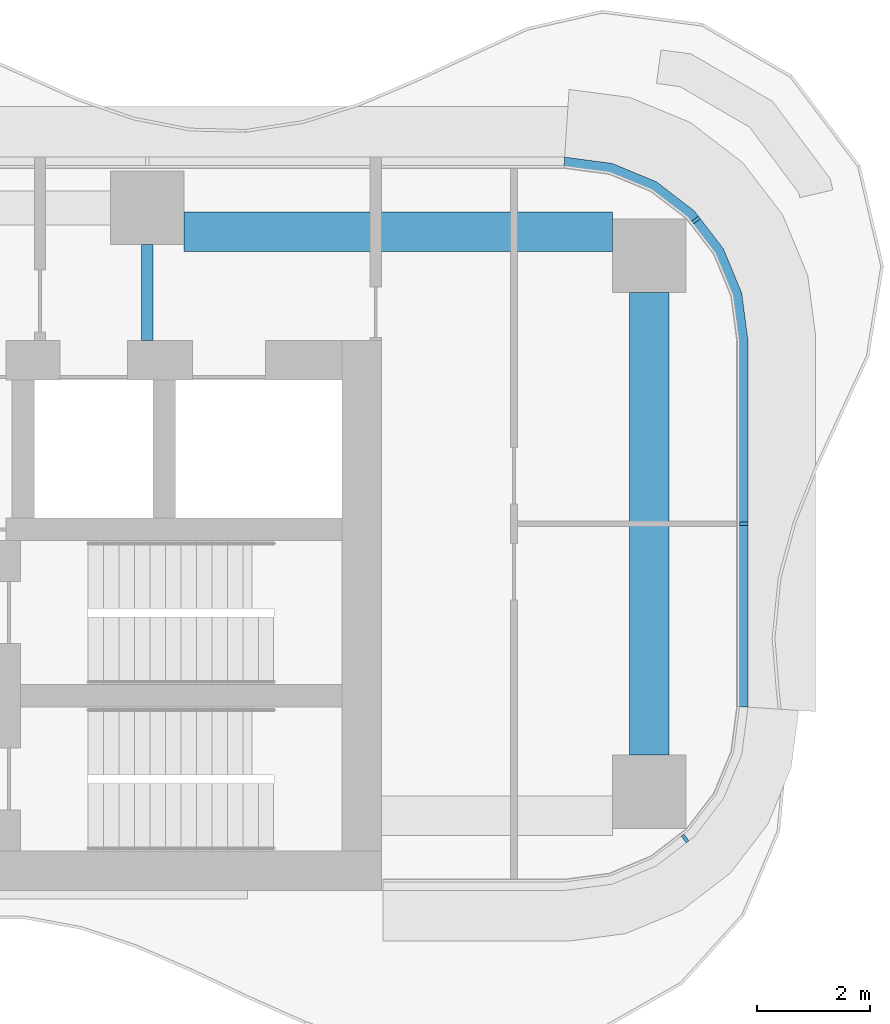
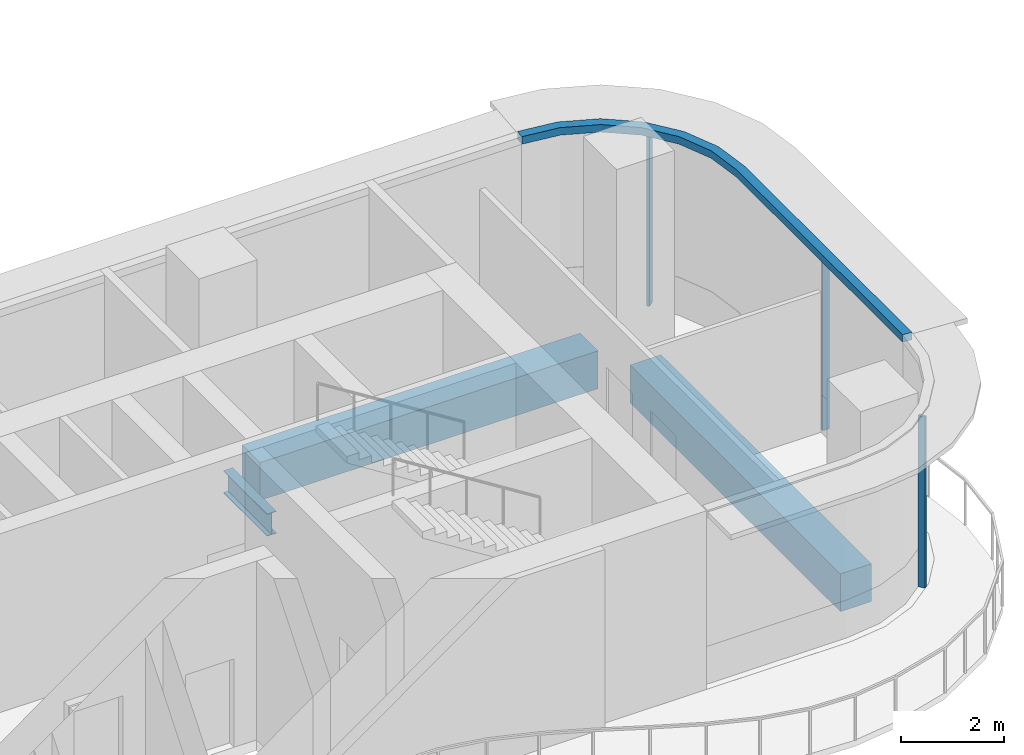
# One storey, part 7 of 21: 4 members, 3 beams, 2 elements without a shape of their own.
"""IFC4 building model written with IfcOpenShell, lengths in metres."""

from ifc_helpers import new_model, si_unit, direction, frame, origin, origin_2d, place, context, subcontext, project, spatial, polyline, rectangle, i_section, outline, extrude, source, transform, mapped, material, layer, layer_set, material_profile, profile_set, type_object, element, aggregate, save


model = new_model("IFC4")

# Units and contexts
model_context = context("Model", 3, precision=1e-05, world=origin(), true_north=direction((0.0, 1.0)))
body_context = subcontext(model_context, "Body", "Model", "MODEL_VIEW")
ifc_project = project(units=[si_unit("LENGTHUNIT", "METRE"), si_unit("AREAUNIT", "SQUARE_METRE"), si_unit("VOLUMEUNIT", "CUBIC_METRE"), si_unit("PLANEANGLEUNIT", "RADIAN"), si_unit("MASSUNIT", "GRAM", prefix="KILO")], contexts=[model_context])

# Site, building, storey
site_placement = place(None, origin())
site = spatial("IfcSite", under=ifc_project, at=site_placement, CompositionType="ELEMENT")
building_placement = place(site_placement, origin())
building = spatial("IfcBuilding", under=site, at=building_placement, Name="Trellis Farm Tower", CompositionType="ELEMENT")
storey_placement = place(building_placement, frame((0.0, 0.0, 138.0)))
storey = spatial("IfcBuildingStorey", under=building, at=storey_placement, Name="L29", CompositionType="ELEMENT", Elevation=138.0)

# Beams
ifc_material_1 = material(Name="Steel S355", Category="steel")
ifc_material_profile_1 = material_profile(ifc_material_1, i_section(OverallWidth=0.209228515625, OverallDepth=0.533203125, WebThickness=0.010009765625, FlangeThickness=0.015625, FilletRadius=0.0126953125, at=origin_2d()), Name="UB 533x210x92")
ifc_profile_set_1 = profile_set([ifc_material_profile_1], Name="Steel S355")
beam_type_1 = type_object("IfcBeamType", Name="UB 533x210x92", PredefinedType="BEAM", material=ifc_profile_set_1)
shared_shape_1 = source(origin(), body_context, "Body", "SweptSolid", [
    extrude(i_section(OverallWidth=0.209228515625, OverallDepth=0.533203125, WebThickness=0.010009765625, FlangeThickness=0.015625, FilletRadius=0.0126953125, at=origin_2d()), origin(), (0.0, 0.0, 1.0), 1.699951171875),
])
beam_1_placement = place(storey_placement, frame((18.60009765625, 3.25, -0.5166015625), z_axis=(0.0, 1.0, 0.0), x_axis=(-1.0, 0.0, 0.0)))
element("IfcBeam", 1, at=beam_1_placement, inside=storey, type_object=beam_type_1, Name="Girder", PredefinedType="BEAM", context=body_context, shape_type="MappedRepresentation", body=[
    mapped(shared_shape_1, transform((0.0, 0.0, 0.0))),
])
ifc_material_2 = material(Name="Concrete C60/75", Category="concrete")
ifc_material_profile_2 = material_profile(ifc_material_2, rectangle(XDim=0.699951171875, YDim=0.89990234375, at=origin_2d()), Name="RC spandrel beam 700x900 C60/75")
ifc_profile_set_2 = profile_set([ifc_material_profile_2], Name="Concrete C60/75")
beam_type_2 = type_object("IfcBeamType", Name="RC spandrel beam 700x900 C60/75", PredefinedType="SPANDREL", material=ifc_profile_set_2)
shared_shape_2 = source(origin(), body_context, "Body", "SweptSolid", [
    extrude(rectangle(XDim=0.699951171875, YDim=0.89990234375, at=origin_2d()), origin(), (0.0, 0.0, 1.0), 8.2001953125),
])
beam_2_placement = place(storey_placement, frame((27.5, -4.10009765625, -0.699951171875), z_axis=(0.0, 1.0, 0.0), x_axis=(-1.0, 0.0, 0.0)))
element("IfcBeam", 2, at=beam_2_placement, inside=storey, type_object=beam_type_2, Name="Girder", PredefinedType="SPANDREL", context=body_context, shape_type="MappedRepresentation", body=[
    mapped(shared_shape_2, transform((0.0, 0.0, 0.0))),
])
shared_shape_3 = source(origin(), body_context, "Body", "SweptSolid", [
    extrude(rectangle(XDim=0.699951171875, YDim=0.89990234375, at=origin_2d()), origin(), (0.0, 0.0, 1.0), 7.60009765625),
])
beam_3_placement = place(storey_placement, frame((19.25, 5.175048828125, -0.699951171875), z_axis=(1.0, 0.0, 0.0), x_axis=(0.0, 1.0, 0.0)))
element("IfcBeam", 3, at=beam_3_placement, inside=storey, type_object=beam_type_2, Name="Girder", PredefinedType="SPANDREL", context=body_context, shape_type="MappedRepresentation", body=[
    mapped(shared_shape_3, transform((0.0, 0.0, 0.0))),
])

# Curtain wall, member
ifc_material_3 = material(Name="Aluminium and glass curtain wall", Category="aluminium")
ifc_layer_1 = layer(ifc_material_3, 0.18994140625)
ifc_layer_set_1 = layer_set([ifc_layer_1], Name="RIBBON CURTAIN WALL CW1")
curtain_wall_type = type_object("IfcCurtainWallType", Name="RIBBON CURTAIN WALL CW1", PredefinedType="NOTDEFINED", material=ifc_layer_set_1)
placement = place(storey_placement, origin())
curtain_wall_1 = element("IfcCurtainWall", 4, at=placement, inside=storey, type_object=curtain_wall_type, Name="CW1 006", PredefinedType="NOTDEFINED")
ifc_material_4 = material(Name="Aluminium extrusion 6063-T6", Category="aluminium")
ifc_material_profile_3 = material_profile(ifc_material_4, rectangle(XDim=0.06005859375, YDim=0.14990234375, at=origin_2d()), Name="MULLION 60x150")
ifc_profile_set_3 = profile_set([ifc_material_profile_3], Name="Aluminium extrusion 6063-T6")
member_type_1 = type_object("IfcMemberType", Name="CW1 MULLION 60x150", PredefinedType="MULLION", material=ifc_profile_set_3)
shared_shape_4 = source(origin(), body_context, "Body", "SweptSolid", [
    extrude(rectangle(XDim=0.06005859375, YDim=0.14990234375, at=origin_2d()), origin(), (0.0, 0.0, 1.0), 4.070068359375),
])
member_1_placement = place(storey_placement, frame((28.135498046875, -5.578369140625, 0.0), z_axis=(0.0, 0.0, 1.0), x_axis=(0.793353340291, 0.608761429009, 0.0)))
member_1 = element("IfcMember", 5, at=member_1_placement, type_object=member_type_1, Name="MU1 006-01", PredefinedType="MULLION", context=body_context, shape_type="MappedRepresentation", body=[
    mapped(shared_shape_4, transform((0.0, 0.0, 0.0))),
])
aggregate(curtain_wall_1, [member_1])

# Curtain wall, members
curtain_wall_2 = element("IfcCurtainWall", 6, at=placement, inside=storey, type_object=curtain_wall_type, Name="CW1 007", PredefinedType="NOTDEFINED")
member_2_placement = place(storey_placement, frame((29.175048828125, 0.0, 0.0), z_axis=(0.0, 0.0, 1.0), x_axis=(0.0, 1.0, 0.0)))
member_2 = element("IfcMember", 7, at=member_2_placement, type_object=member_type_1, Name="MU1 007-01", PredefinedType="MULLION", context=body_context, shape_type="MappedRepresentation", body=[
    mapped(shared_shape_4, transform((0.0, 0.0, 0.0))),
])
member_3_placement = place(storey_placement, frame((28.328369140625, 5.385498046875, 0.0), z_axis=(0.0, 0.0, 1.0), x_axis=(-0.608761429009, 0.793353340291, 0.0)))
member_3 = element("IfcMember", 8, at=member_3_placement, type_object=member_type_1, Name="MU1 007-02", PredefinedType="MULLION", context=body_context, shape_type="MappedRepresentation", body=[
    mapped(shared_shape_4, transform((0.0, 0.0, 0.0))),
])
ifc_layer_2 = layer(ifc_material_4, 0.199951171875)
ifc_layer_set_2 = layer_set([ifc_layer_2], Name="Aluminium extrusion 6063-T6")
member_type_2 = type_object("IfcMemberType", Name="CW1 TRANSOM 200x180", PredefinedType="USERDEFINED", material=ifc_layer_set_2)
shared_shape_5 = source(origin(), body_context, "Body", "SweptSolid", [
    extrude(outline(polyline([(29.25, -3.25), (29.25, 3.25), (29.13916015625, 4.091064453125), (28.814697265625, 4.875), (28.298095703125, 5.548095703125), (27.625, 6.064697265625), (26.841064453125, 6.38916015625), (26.0, 6.5), (25.98681640625, 6.300048828125), (26.7890625, 6.1943359375), (27.524169921875, 5.889892578125), (28.155517578125, 5.405517578125), (28.639892578125, 4.774169921875), (28.9443359375, 4.0390625), (29.050048828125, 3.23681640625), (29.050048828125, -3.23681640625), (29.25, -3.25)])), origin(), (0.0, 0.0, 1.0), 0.179931640625),
])
member_4_placement = place(storey_placement, frame((0.0, 0.0, 4.070068359375)))
member_4 = element("IfcMember", 9, at=member_4_placement, type_object=member_type_2, Name="TR1 007", ObjectType="TRANSOM", PredefinedType="USERDEFINED", context=body_context, shape_type="MappedRepresentation", body=[
    mapped(shared_shape_5, transform((0.0, 0.0, 0.0))),
])
aggregate(curtain_wall_2, [member_2, member_3, member_4])

save(model, "model.ifc")
